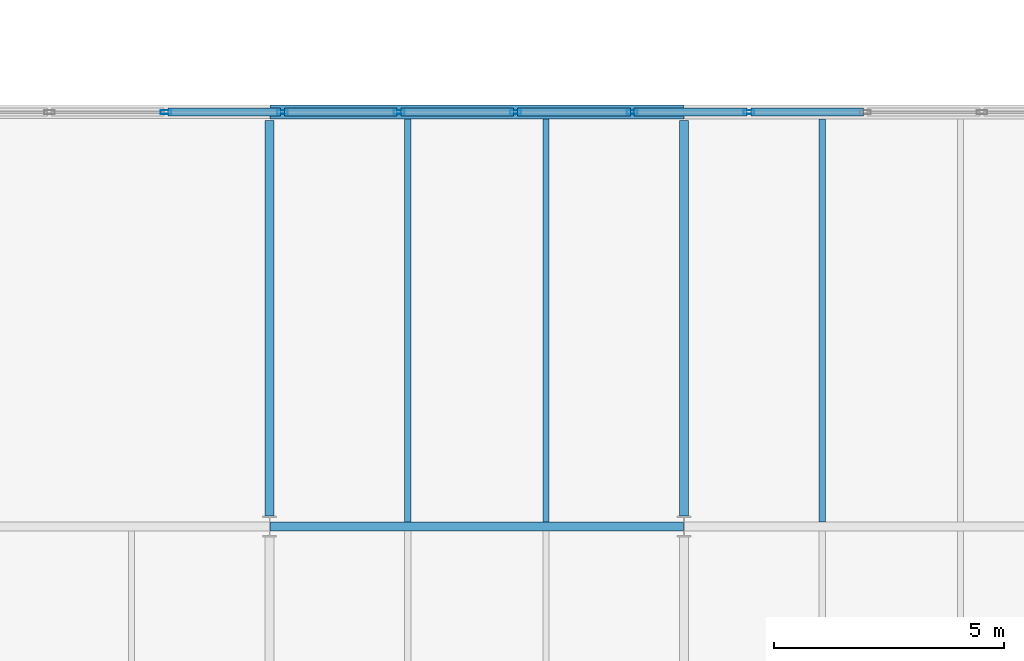
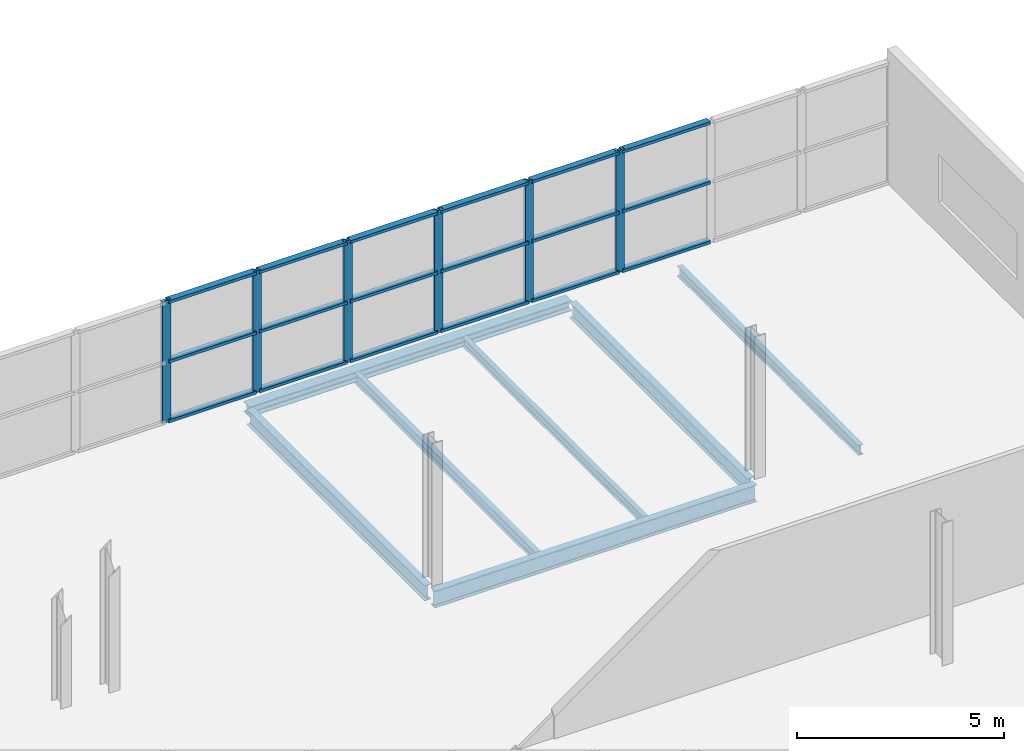
# One storey, part 62 of 88: 24 members, 7 beams, 1 element without a shape of its own.
"""IFC4 building model written with IfcOpenShell, lengths in metres."""

from ifc_helpers import new_model, si_unit, direction, frame, origin, origin_2d, place, context, subcontext, project, spatial, hollow_rectangle, i_section, extrude, material, layer, layer_set, material_profile, profile_set, type_object, element, aggregate, save


model = new_model("IFC4")

# Units and contexts
model_context = context("Model", 3, precision=1e-05, world=origin(), true_north=direction((0.0, 1.0)))
body_context = subcontext(model_context, "Body", "Model", "MODEL_VIEW")
ifc_project = project(units=[si_unit("LENGTHUNIT", "METRE"), si_unit("AREAUNIT", "SQUARE_METRE"), si_unit("VOLUMEUNIT", "CUBIC_METRE"), si_unit("PLANEANGLEUNIT", "RADIAN"), si_unit("MASSUNIT", "GRAM", prefix="KILO")], contexts=[model_context])

# Site, building, storey
site_placement = place(None, origin())
site = spatial("IfcSite", under=ifc_project, at=site_placement, CompositionType="ELEMENT")
building_placement = place(site_placement, origin())
building = spatial("IfcBuilding", under=site, at=building_placement, Name="Deido Ridge Mobility Hub", CompositionType="ELEMENT")
storey_placement = place(building_placement, frame((0.0, 0.0, 16.800048828125)))
storey = spatial("IfcBuildingStorey", under=building, at=storey_placement, Name="L04", CompositionType="ELEMENT", Elevation=16.800048828125)

# Beams
ifc_material_1 = material(Name="Steel S355J2 EN 10025-2", Category="steel")
ifc_material_profile_1 = material_profile(ifc_material_1, i_section(OverallWidth=0.18994140625, OverallDepth=0.449951171875, WebThickness=0.009521484375, FlangeThickness=0.0146484375, FilletRadius=0.02099609375, at=origin_2d()), Name="IPE 450")
ifc_profile_set_1 = profile_set([ifc_material_profile_1], Name="Steel S355J2 EN 10025-2")
beam_type_1 = type_object("IfcBeamType", Name="BM-IPE450", PredefinedType="BEAM", material=ifc_profile_set_1)
for number, where, z_axis, x_axis, name in (
    (1, (162.0, 63.22509765625, -0.5), (0.0, 1.0, 0.0), (-1.0, 0.0, 0.0), "Floor beam B4"),
    (2, (171.0, 63.22509765625, -0.5), (0.0, 1.0, 0.0), (-1.0, 0.0, 0.0), "Floor beam B4"),
):
    element("IfcBeam", number, at=place(storey_placement, frame(where, z_axis=z_axis, x_axis=x_axis)), inside=storey, type_object=beam_type_1, Name=name, PredefinedType="BEAM", context=body_context, shape_type="SweptSolid", body=[
        extrude(i_section(OverallWidth=0.18994140625, OverallDepth=0.449951171875, WebThickness=0.009521484375, FlangeThickness=0.0146484375, FilletRadius=0.02099609375, at=origin_2d()), origin(), (0.0, 0.0, 1.0), 8.594970703125),
    ])
ifc_material_profile_2 = material_profile(ifc_material_1, i_section(OverallWidth=0.199951171875, OverallDepth=0.5, WebThickness=0.01025390625, FlangeThickness=0.01611328125, FilletRadius=0.02099609375, at=origin_2d()), Name="IPE 500")
ifc_profile_set_2 = profile_set([ifc_material_profile_2], Name="Steel S355J2 EN 10025-2")
beam_type_2 = type_object("IfcBeamType", Name="BM-IPE500", PredefinedType="BEAM", material=ifc_profile_set_2)
beam_1_placement = place(storey_placement, frame((162.007080078125, 63.0, -0.525146484375), z_axis=(1.0, 0.0, 0.0), x_axis=(0.0, 1.0, 0.0)))
element("IfcBeam", 3, at=beam_1_placement, inside=storey, type_object=beam_type_2, Name="Floor beam B3", PredefinedType="BEAM", context=body_context, shape_type="SweptSolid", body=[
    extrude(i_section(OverallWidth=0.199951171875, OverallDepth=0.5, WebThickness=0.01025390625, FlangeThickness=0.01611328125, FilletRadius=0.02099609375, at=origin_2d()), origin(), (0.0, 0.0, 1.0), 8.98583984375),
])
ifc_material_profile_3 = material_profile(ifc_material_1, i_section(OverallWidth=0.135009765625, OverallDepth=0.27001953125, WebThickness=0.006591796875, FlangeThickness=0.01025390625, FilletRadius=0.014892578125, at=origin_2d()), Name="IPE 270")
ifc_profile_set_3 = profile_set([ifc_material_profile_3], Name="Steel S355J2 EN 10025-2")
beam_type_3 = type_object("IfcBeamType", Name="JST-IPE270", PredefinedType="JOIST", material=ifc_profile_set_3)
beam_2_placement = place(storey_placement, frame((168.0, 63.10009765625, -0.41015625), z_axis=(0.0, 1.0, 0.0), x_axis=(-1.0, 0.0, 0.0)))
element("IfcBeam", 4, at=beam_2_placement, inside=storey, type_object=beam_type_3, Name="Composite joist J4", PredefinedType="JOIST", context=body_context, shape_type="SweptSolid", body=[
    extrude(i_section(OverallWidth=0.135009765625, OverallDepth=0.27001953125, WebThickness=0.006591796875, FlangeThickness=0.01025390625, FilletRadius=0.014892578125, at=origin_2d()), origin(), (0.0, 0.0, 1.0), 8.75),
])
ifc_material_profile_4 = material_profile(ifc_material_1, i_section(OverallWidth=0.14990234375, OverallDepth=0.300048828125, WebThickness=0.007080078125, FlangeThickness=0.0107421875, FilletRadius=0.014892578125, at=origin_2d()), Name="IPE 300")
ifc_profile_set_4 = profile_set([ifc_material_profile_4], Name="Steel S355J2 EN 10025-2")
beam_type_4 = type_object("IfcBeamType", Name="JST-IPE300", PredefinedType="JOIST", material=ifc_profile_set_4)
for number, where, z_axis, x_axis, name in (
    (5, (165.0, 63.10009765625, -0.425048828125), (0.0, 1.0, 0.0), (-1.0, 0.0, 0.0), "Composite joist J3"),
    (6, (174.0, 63.10009765625, -0.425048828125), (0.0, 1.0, 0.0), (-1.0, 0.0, 0.0), "Composite joist J3"),
):
    element("IfcBeam", number, at=place(storey_placement, frame(where, z_axis=z_axis, x_axis=x_axis)), inside=storey, type_object=beam_type_4, Name=name, PredefinedType="JOIST", context=body_context, shape_type="SweptSolid", body=[
        extrude(i_section(OverallWidth=0.14990234375, OverallDepth=0.300048828125, WebThickness=0.007080078125, FlangeThickness=0.0107421875, FilletRadius=0.014892578125, at=origin_2d()), origin(), (0.0, 0.0, 1.0), 8.75),
    ])

# Curtain wall, members
ifc_material_2 = material(Name="Anodised aluminium EN AW-6063 T6", Category="aluminium")
ifc_layer = layer(ifc_material_2, 0.132080078125, Name="Anodised aluminium EN AW-6063 T6")
ifc_layer_set = layer_set([ifc_layer], Name="Anodised aluminium EN AW-6063 T6")
curtain_wall_type = type_object("IfcCurtainWallType", Name="CW-GS-1", PredefinedType="USERDEFINED", material=ifc_layer_set)
curtain_wall_placement = place(storey_placement, origin())
curtain_wall = element("IfcCurtainWall", 7, at=curtain_wall_placement, inside=storey, type_object=curtain_wall_type, Name="Unitised curtain wall GS1", ObjectType="GLAZED SCREEN", PredefinedType="USERDEFINED")
ifc_material_profile_5 = material_profile(ifc_material_2, hollow_rectangle(XDim=0.0849609375, YDim=0.235107421875, WallThickness=0.00390625, at=origin_2d()), Name="RHS 85x235x4")
ifc_profile_set_5 = profile_set([ifc_material_profile_5], Name="Anodised aluminium EN AW-6063 T6")
member_type_1 = type_object("IfcMemberType", Name="MEM-MUL-85X235", PredefinedType="MULLION", material=ifc_profile_set_5)
member_1_placement = place(storey_placement, frame((159.75, 72.0, 0.0), z_axis=(0.0, 0.0, 1.0), x_axis=(0.0, 1.0, 0.0)))
member_1 = element("IfcMember", 8, at=member_1_placement, type_object=member_type_1, Name="GS1 mullion 9", PredefinedType="MULLION", context=body_context, shape_type="SweptSolid", body=[
    extrude(hollow_rectangle(XDim=0.0849609375, YDim=0.235107421875, WallThickness=0.00390625, at=origin_2d()), origin(), (0.0, 0.0, 1.0), 3.599853515625),
])
member_2_placement = place(storey_placement, frame((162.28125, 72.0, 0.0), z_axis=(0.0, 0.0, 1.0), x_axis=(0.0, 1.0, 0.0)))
member_2 = element("IfcMember", 9, at=member_2_placement, type_object=member_type_1, Name="GS1 mullion 10", PredefinedType="MULLION", context=body_context, shape_type="SweptSolid", body=[
    extrude(hollow_rectangle(XDim=0.0849609375, YDim=0.235107421875, WallThickness=0.00390625, at=origin_2d()), origin(), (0.0, 0.0, 1.0), 3.599853515625),
])
member_3_placement = place(storey_placement, frame((164.8125, 72.0, 0.0), z_axis=(0.0, 0.0, 1.0), x_axis=(0.0, 1.0, 0.0)))
member_3 = element("IfcMember", 10, at=member_3_placement, type_object=member_type_1, Name="GS1 mullion 11", PredefinedType="MULLION", context=body_context, shape_type="SweptSolid", body=[
    extrude(hollow_rectangle(XDim=0.0849609375, YDim=0.235107421875, WallThickness=0.00390625, at=origin_2d()), origin(), (0.0, 0.0, 1.0), 3.599853515625),
])
member_4_placement = place(storey_placement, frame((167.34375, 72.0, 0.0), z_axis=(0.0, 0.0, 1.0), x_axis=(0.0, 1.0, 0.0)))
member_4 = element("IfcMember", 11, at=member_4_placement, type_object=member_type_1, Name="GS1 mullion 12", PredefinedType="MULLION", context=body_context, shape_type="SweptSolid", body=[
    extrude(hollow_rectangle(XDim=0.0849609375, YDim=0.235107421875, WallThickness=0.00390625, at=origin_2d()), origin(), (0.0, 0.0, 1.0), 3.599853515625),
])
member_5_placement = place(storey_placement, frame((169.875, 72.0, 0.0), z_axis=(0.0, 0.0, 1.0), x_axis=(0.0, 1.0, 0.0)))
member_5 = element("IfcMember", 12, at=member_5_placement, type_object=member_type_1, Name="GS1 mullion 13", PredefinedType="MULLION", context=body_context, shape_type="SweptSolid", body=[
    extrude(hollow_rectangle(XDim=0.0849609375, YDim=0.235107421875, WallThickness=0.00390625, at=origin_2d()), origin(), (0.0, 0.0, 1.0), 3.599853515625),
])
member_6_placement = place(storey_placement, frame((172.40625, 72.0, 0.0), z_axis=(0.0, 0.0, 1.0), x_axis=(0.0, 1.0, 0.0)))
member_6 = element("IfcMember", 13, at=member_6_placement, type_object=member_type_1, Name="GS1 mullion 14", PredefinedType="MULLION", context=body_context, shape_type="SweptSolid", body=[
    extrude(hollow_rectangle(XDim=0.0849609375, YDim=0.235107421875, WallThickness=0.00390625, at=origin_2d()), origin(), (0.0, 0.0, 1.0), 3.599853515625),
])
ifc_material_profile_6 = material_profile(ifc_material_2, hollow_rectangle(XDim=0.175048828125, YDim=0.0849609375, WallThickness=0.00390625, at=origin_2d()), Name="RHS 175x85x4")
ifc_profile_set_6 = profile_set([ifc_material_profile_6], Name="Anodised aluminium EN AW-6063 T6")
member_type_2 = type_object("IfcMemberType", Name="MEM-TRN-175X85", PredefinedType="USERDEFINED", material=ifc_profile_set_6)
member_7_placement = place(storey_placement, frame((159.79248046875, 72.0, 0.04248046875), z_axis=(1.0, 0.0, 0.0), x_axis=(0.0, 1.0, 0.0)))
member_7 = element("IfcMember", 14, at=member_7_placement, type_object=member_type_2, Name="GS1 transom 9.1", ObjectType="TRANSOM", PredefinedType="USERDEFINED", context=body_context, shape_type="SweptSolid", body=[
    extrude(hollow_rectangle(XDim=0.175048828125, YDim=0.0849609375, WallThickness=0.00390625, at=origin_2d()), origin(), (0.0, 0.0, 1.0), 2.4462890625),
])
member_8_placement = place(storey_placement, frame((159.79248046875, 72.0, 1.800048828125), z_axis=(1.0, 0.0, 0.0), x_axis=(0.0, 1.0, 0.0)))
member_8 = element("IfcMember", 15, at=member_8_placement, type_object=member_type_2, Name="GS1 transom 9.2", ObjectType="TRANSOM", PredefinedType="USERDEFINED", context=body_context, shape_type="SweptSolid", body=[
    extrude(hollow_rectangle(XDim=0.175048828125, YDim=0.0849609375, WallThickness=0.00390625, at=origin_2d()), origin(), (0.0, 0.0, 1.0), 2.4462890625),
])
member_9_placement = place(storey_placement, frame((159.79248046875, 72.0, 3.557373046875), z_axis=(1.0, 0.0, 0.0), x_axis=(0.0, 1.0, 0.0)))
member_9 = element("IfcMember", 16, at=member_9_placement, type_object=member_type_2, Name="GS1 transom 9.3", ObjectType="TRANSOM", PredefinedType="USERDEFINED", context=body_context, shape_type="SweptSolid", body=[
    extrude(hollow_rectangle(XDim=0.175048828125, YDim=0.0849609375, WallThickness=0.00390625, at=origin_2d()), origin(), (0.0, 0.0, 1.0), 2.4462890625),
])
member_10_placement = place(storey_placement, frame((162.32373046875, 72.0, 0.04248046875), z_axis=(1.0, 0.0, 0.0), x_axis=(0.0, 1.0, 0.0)))
member_10 = element("IfcMember", 17, at=member_10_placement, type_object=member_type_2, Name="GS1 transom 10.1", ObjectType="TRANSOM", PredefinedType="USERDEFINED", context=body_context, shape_type="SweptSolid", body=[
    extrude(hollow_rectangle(XDim=0.175048828125, YDim=0.0849609375, WallThickness=0.00390625, at=origin_2d()), origin(), (0.0, 0.0, 1.0), 2.4462890625),
])
member_11_placement = place(storey_placement, frame((162.32373046875, 72.0, 1.800048828125), z_axis=(1.0, 0.0, 0.0), x_axis=(0.0, 1.0, 0.0)))
member_11 = element("IfcMember", 18, at=member_11_placement, type_object=member_type_2, Name="GS1 transom 10.2", ObjectType="TRANSOM", PredefinedType="USERDEFINED", context=body_context, shape_type="SweptSolid", body=[
    extrude(hollow_rectangle(XDim=0.175048828125, YDim=0.0849609375, WallThickness=0.00390625, at=origin_2d()), origin(), (0.0, 0.0, 1.0), 2.4462890625),
])
member_12_placement = place(storey_placement, frame((162.32373046875, 72.0, 3.557373046875), z_axis=(1.0, 0.0, 0.0), x_axis=(0.0, 1.0, 0.0)))
member_12 = element("IfcMember", 19, at=member_12_placement, type_object=member_type_2, Name="GS1 transom 10.3", ObjectType="TRANSOM", PredefinedType="USERDEFINED", context=body_context, shape_type="SweptSolid", body=[
    extrude(hollow_rectangle(XDim=0.175048828125, YDim=0.0849609375, WallThickness=0.00390625, at=origin_2d()), origin(), (0.0, 0.0, 1.0), 2.4462890625),
])
member_13_placement = place(storey_placement, frame((164.85498046875, 72.0, 0.04248046875), z_axis=(1.0, 0.0, 0.0), x_axis=(0.0, 1.0, 0.0)))
member_13 = element("IfcMember", 20, at=member_13_placement, type_object=member_type_2, Name="GS1 transom 11.1", ObjectType="TRANSOM", PredefinedType="USERDEFINED", context=body_context, shape_type="SweptSolid", body=[
    extrude(hollow_rectangle(XDim=0.175048828125, YDim=0.0849609375, WallThickness=0.00390625, at=origin_2d()), origin(), (0.0, 0.0, 1.0), 2.4462890625),
])
member_14_placement = place(storey_placement, frame((164.85498046875, 72.0, 1.800048828125), z_axis=(1.0, 0.0, 0.0), x_axis=(0.0, 1.0, 0.0)))
member_14 = element("IfcMember", 21, at=member_14_placement, type_object=member_type_2, Name="GS1 transom 11.2", ObjectType="TRANSOM", PredefinedType="USERDEFINED", context=body_context, shape_type="SweptSolid", body=[
    extrude(hollow_rectangle(XDim=0.175048828125, YDim=0.0849609375, WallThickness=0.00390625, at=origin_2d()), origin(), (0.0, 0.0, 1.0), 2.4462890625),
])
member_15_placement = place(storey_placement, frame((164.85498046875, 72.0, 3.557373046875), z_axis=(1.0, 0.0, 0.0), x_axis=(0.0, 1.0, 0.0)))
member_15 = element("IfcMember", 22, at=member_15_placement, type_object=member_type_2, Name="GS1 transom 11.3", ObjectType="TRANSOM", PredefinedType="USERDEFINED", context=body_context, shape_type="SweptSolid", body=[
    extrude(hollow_rectangle(XDim=0.175048828125, YDim=0.0849609375, WallThickness=0.00390625, at=origin_2d()), origin(), (0.0, 0.0, 1.0), 2.4462890625),
])
member_16_placement = place(storey_placement, frame((167.38623046875, 72.0, 0.04248046875), z_axis=(1.0, 0.0, 0.0), x_axis=(0.0, 1.0, 0.0)))
member_16 = element("IfcMember", 23, at=member_16_placement, type_object=member_type_2, Name="GS1 transom 12.1", ObjectType="TRANSOM", PredefinedType="USERDEFINED", context=body_context, shape_type="SweptSolid", body=[
    extrude(hollow_rectangle(XDim=0.175048828125, YDim=0.0849609375, WallThickness=0.00390625, at=origin_2d()), origin(), (0.0, 0.0, 1.0), 2.4462890625),
])
member_17_placement = place(storey_placement, frame((167.38623046875, 72.0, 1.800048828125), z_axis=(1.0, 0.0, 0.0), x_axis=(0.0, 1.0, 0.0)))
member_17 = element("IfcMember", 24, at=member_17_placement, type_object=member_type_2, Name="GS1 transom 12.2", ObjectType="TRANSOM", PredefinedType="USERDEFINED", context=body_context, shape_type="SweptSolid", body=[
    extrude(hollow_rectangle(XDim=0.175048828125, YDim=0.0849609375, WallThickness=0.00390625, at=origin_2d()), origin(), (0.0, 0.0, 1.0), 2.4462890625),
])
member_18_placement = place(storey_placement, frame((167.38623046875, 72.0, 3.557373046875), z_axis=(1.0, 0.0, 0.0), x_axis=(0.0, 1.0, 0.0)))
member_18 = element("IfcMember", 25, at=member_18_placement, type_object=member_type_2, Name="GS1 transom 12.3", ObjectType="TRANSOM", PredefinedType="USERDEFINED", context=body_context, shape_type="SweptSolid", body=[
    extrude(hollow_rectangle(XDim=0.175048828125, YDim=0.0849609375, WallThickness=0.00390625, at=origin_2d()), origin(), (0.0, 0.0, 1.0), 2.4462890625),
])
member_19_placement = place(storey_placement, frame((169.91748046875, 72.0, 0.04248046875), z_axis=(1.0, 0.0, 0.0), x_axis=(0.0, 1.0, 0.0)))
member_19 = element("IfcMember", 26, at=member_19_placement, type_object=member_type_2, Name="GS1 transom 13.1", ObjectType="TRANSOM", PredefinedType="USERDEFINED", context=body_context, shape_type="SweptSolid", body=[
    extrude(hollow_rectangle(XDim=0.175048828125, YDim=0.0849609375, WallThickness=0.00390625, at=origin_2d()), origin(), (0.0, 0.0, 1.0), 2.4462890625),
])
member_20_placement = place(storey_placement, frame((169.91748046875, 72.0, 1.800048828125), z_axis=(1.0, 0.0, 0.0), x_axis=(0.0, 1.0, 0.0)))
member_20 = element("IfcMember", 27, at=member_20_placement, type_object=member_type_2, Name="GS1 transom 13.2", ObjectType="TRANSOM", PredefinedType="USERDEFINED", context=body_context, shape_type="SweptSolid", body=[
    extrude(hollow_rectangle(XDim=0.175048828125, YDim=0.0849609375, WallThickness=0.00390625, at=origin_2d()), origin(), (0.0, 0.0, 1.0), 2.4462890625),
])
member_21_placement = place(storey_placement, frame((169.91748046875, 72.0, 3.557373046875), z_axis=(1.0, 0.0, 0.0), x_axis=(0.0, 1.0, 0.0)))
member_21 = element("IfcMember", 28, at=member_21_placement, type_object=member_type_2, Name="GS1 transom 13.3", ObjectType="TRANSOM", PredefinedType="USERDEFINED", context=body_context, shape_type="SweptSolid", body=[
    extrude(hollow_rectangle(XDim=0.175048828125, YDim=0.0849609375, WallThickness=0.00390625, at=origin_2d()), origin(), (0.0, 0.0, 1.0), 2.4462890625),
])
member_22_placement = place(storey_placement, frame((172.44873046875, 72.0, 0.04248046875), z_axis=(1.0, 0.0, 0.0), x_axis=(0.0, 1.0, 0.0)))
member_22 = element("IfcMember", 29, at=member_22_placement, type_object=member_type_2, Name="GS1 transom 14.1", ObjectType="TRANSOM", PredefinedType="USERDEFINED", context=body_context, shape_type="SweptSolid", body=[
    extrude(hollow_rectangle(XDim=0.175048828125, YDim=0.0849609375, WallThickness=0.00390625, at=origin_2d()), origin(), (0.0, 0.0, 1.0), 2.4462890625),
])
member_23_placement = place(storey_placement, frame((172.44873046875, 72.0, 1.800048828125), z_axis=(1.0, 0.0, 0.0), x_axis=(0.0, 1.0, 0.0)))
member_23 = element("IfcMember", 30, at=member_23_placement, type_object=member_type_2, Name="GS1 transom 14.2", ObjectType="TRANSOM", PredefinedType="USERDEFINED", context=body_context, shape_type="SweptSolid", body=[
    extrude(hollow_rectangle(XDim=0.175048828125, YDim=0.0849609375, WallThickness=0.00390625, at=origin_2d()), origin(), (0.0, 0.0, 1.0), 2.4462890625),
])
member_24_placement = place(storey_placement, frame((172.44873046875, 72.0, 3.557373046875), z_axis=(1.0, 0.0, 0.0), x_axis=(0.0, 1.0, 0.0)))
member_24 = element("IfcMember", 31, at=member_24_placement, type_object=member_type_2, Name="GS1 transom 14.3", ObjectType="TRANSOM", PredefinedType="USERDEFINED", context=body_context, shape_type="SweptSolid", body=[
    extrude(hollow_rectangle(XDim=0.175048828125, YDim=0.0849609375, WallThickness=0.00390625, at=origin_2d()), origin(), (0.0, 0.0, 1.0), 2.4462890625),
])
aggregate(curtain_wall, [member_1, member_2, member_3, member_4, member_5, member_6, member_7, member_8, member_9, member_10, member_11, member_12, member_13, member_14, member_15, member_16, member_17, member_18, member_19, member_20, member_21, member_22, member_23, member_24])

# Beam
ifc_material_profile_7 = material_profile(ifc_material_1, i_section(OverallWidth=0.300048828125, OverallDepth=0.300048828125, WebThickness=0.010986328125, FlangeThickness=0.01904296875, FilletRadius=0.027099609375, at=origin_2d()), Name="HEB 300")
ifc_profile_set_7 = profile_set([ifc_material_profile_7], Name="Steel S355J2 EN 10025-2")
beam_type_5 = type_object("IfcBeamType", Name="SPD-HEB300", PredefinedType="SPANDREL", material=ifc_profile_set_7)
beam_3_placement = place(storey_placement, frame((162.006103515625, 72.0, -0.425048828125), z_axis=(1.0, 0.0, 0.0), x_axis=(0.0, 1.0, 0.0)))
element("IfcBeam", 32, at=beam_3_placement, inside=storey, type_object=beam_type_5, Name="Floor beam SP1", PredefinedType="SPANDREL", context=body_context, shape_type="SweptSolid", body=[
    extrude(i_section(OverallWidth=0.300048828125, OverallDepth=0.300048828125, WebThickness=0.010986328125, FlangeThickness=0.01904296875, FilletRadius=0.027099609375, at=origin_2d()), origin(), (0.0, 0.0, 1.0), 8.98779296875),
])

save(model, "model.ifc")
